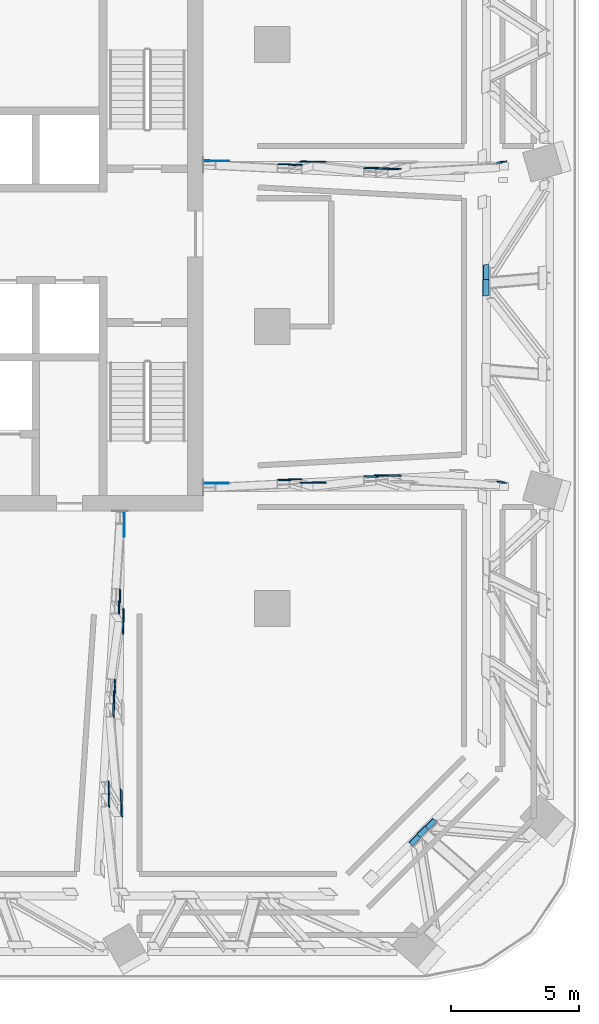
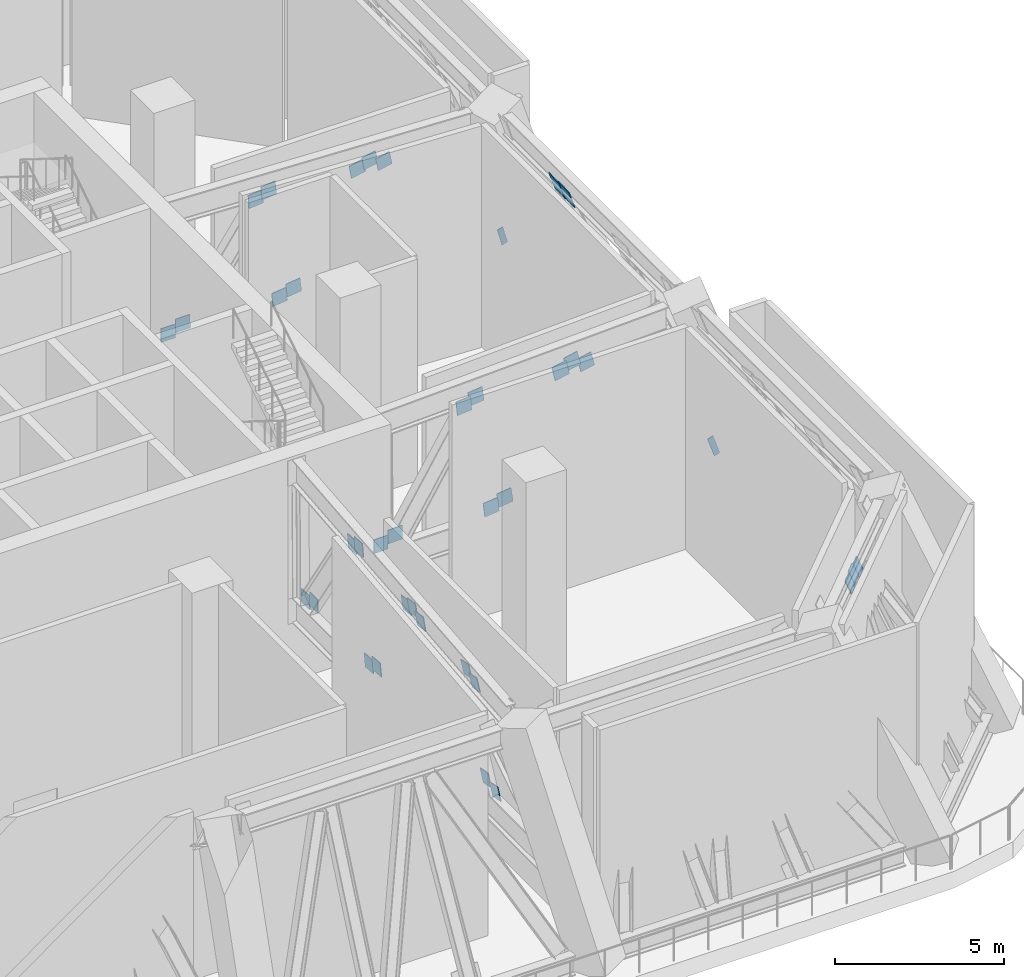
# One storey, part 15 of 24: 38 discrete accessories.
"""IFC4 building model written with IfcOpenShell, lengths in metres."""

from ifc_helpers import new_model, si_unit, direction, frame, origin, origin_2d, place, context, subcontext, project, spatial, rectangle, extrude, material, layer, layer_set, type_object, element, save


model = new_model("IFC4")

# Units and contexts
model_context = context("Model", 3, precision=1e-05, world=origin(), true_north=direction((0.0, 1.0)))
body_context = subcontext(model_context, "Body", "Model", "MODEL_VIEW")
ifc_project = project(units=[si_unit("LENGTHUNIT", "METRE"), si_unit("AREAUNIT", "SQUARE_METRE"), si_unit("VOLUMEUNIT", "CUBIC_METRE"), si_unit("PLANEANGLEUNIT", "RADIAN"), si_unit("MASSUNIT", "GRAM", prefix="KILO")], contexts=[model_context])

# Site, building, storey
site_placement = place(None, origin())
site = spatial("IfcSite", under=ifc_project, at=site_placement, CompositionType="ELEMENT")
building_placement = place(site_placement, origin())
building = spatial("IfcBuilding", under=site, at=building_placement, Name="Mopane Tessera Tower", CompositionType="ELEMENT")
storey_placement = place(building_placement, frame((0.0, 0.0, 148.60009765625)))
storey = spatial("IfcBuildingStorey", under=building, at=storey_placement, Name="L30", CompositionType="ELEMENT", Elevation=148.60009765625)

# Discrete accessories
ifc_material = material(Name="Structural steel S460", Category="steel")
ifc_layer = layer(ifc_material, 0.030029296875)
ifc_layer_set = layer_set([ifc_layer], Name="Structural steel S460")
discrete_accessory_type = type_object("IfcDiscreteAccessoryType", Name="Truss node plate 30 mm", PredefinedType="BRACKET", material=ifc_layer_set)
discrete_accessory_1_placement = place(storey_placement, frame((14.665283203125, -6.124267578125, 2.762451171875), z_axis=(-0.006906580578, 0.001973308737, 0.999974202266), x_axis=(-0.009648579504, 0.99995137067, -0.002039904093)))
element("IfcDiscreteAccessory", 1, at=discrete_accessory_1_placement, inside=storey, type_object=discrete_accessory_type, Name="Truss node plate s ot L30 E1 0", PredefinedType="BRACKET", context=body_context, shape_type="SweptSolid", body=[
    extrude(rectangle(XDim=0.030029296875, YDim=0.489990234375, at=origin_2d()), origin(), (0.0, 0.0, 1.0), 0.494873046875),
])
discrete_accessory_2_placement = place(storey_placement, frame((15.16357421875, -6.12060546875, 2.941650390625), z_axis=(-0.020725686995, 0.005921624856, 0.999767663139), x_axis=(-0.009537601114, 0.99993578574, -0.006120339919)))
element("IfcDiscreteAccessory", 2, at=discrete_accessory_2_placement, inside=storey, type_object=discrete_accessory_type, Name="Truss node plate s ot L30 E1 2", PredefinedType="BRACKET", context=body_context, shape_type="SweptSolid", body=[
    extrude(rectangle(XDim=0.030029296875, YDim=0.49462890625, at=origin_2d()), origin(), (0.0, 0.0, 1.0), 0.49462890625),
])
discrete_accessory_3_placement = place(storey_placement, frame((17.60107421875, -5.99853515625, 6.663330078125), z_axis=(-0.094748798485, 0.02798280577, 0.995107847304), x_axis=(0.001871989147, 0.999608097476, -0.027931113789)))
element("IfcDiscreteAccessory", 3, at=discrete_accessory_3_placement, inside=storey, type_object=discrete_accessory_type, Name="Truss node plate s ot L30 E1 3", PredefinedType="BRACKET", context=body_context, shape_type="SweptSolid", body=[
    extrude(rectangle(XDim=0.030029296875, YDim=0.49462890625, at=origin_2d()), origin(), (0.0, 0.0, 1.0), 0.497314453125),
])
discrete_accessory_4_placement = place(storey_placement, frame((18.47509765625, -6.1044921875, 2.762451171875), z_axis=(-0.107847996433, 0.031373962599, 0.993672221679), x_axis=(-0.001418597926, 0.999496047364, -0.031711809854)))
element("IfcDiscreteAccessory", 4, at=discrete_accessory_4_placement, inside=storey, type_object=discrete_accessory_type, Name="Truss node plate s ot L30 E1 4", PredefinedType="BRACKET", context=body_context, shape_type="SweptSolid", body=[
    extrude(rectangle(XDim=0.030029296875, YDim=0.49462890625, at=origin_2d()), origin(), (0.0, 0.0, 1.0), 0.498046875),
])
discrete_accessory_5_placement = place(storey_placement, frame((18.03125, -5.974853515625, 6.842529296875), z_axis=(-0.107900556375, 0.031389252764, 0.993666032802), x_axis=(-0.001416920127, 0.999495559277, -0.03172726467)))
element("IfcDiscreteAccessory", 5, at=discrete_accessory_5_placement, inside=storey, type_object=discrete_accessory_type, Name="Truss node plate s ot L30 E1 5", PredefinedType="BRACKET", context=body_context, shape_type="SweptSolid", body=[
    extrude(rectangle(XDim=0.030029296875, YDim=0.49462890625, at=origin_2d()), origin(), (0.0, 0.0, 1.0), 0.497802734375),
])
discrete_accessory_6_placement = place(storey_placement, frame((18.955078125, -6.095703125, 2.941650390625), z_axis=(-0.120941716867, 0.035743908224, 0.992015863858), x_axis=(0.003742717058, 0.999360809995, -0.035552264569)))
element("IfcDiscreteAccessory", 6, at=discrete_accessory_6_placement, inside=storey, type_object=discrete_accessory_type, Name="Truss node plate s ot L30 E1 6", PredefinedType="BRACKET", context=body_context, shape_type="SweptSolid", body=[
    extrude(rectangle(XDim=0.030029296875, YDim=0.49462890625, at=origin_2d()), origin(), (0.0, 0.0, 1.0), 0.49853515625),
])
discrete_accessory_7_placement = place(storey_placement, frame((21.014404296875, -5.86279296875, 6.663330078125), z_axis=(-0.193292704846, 0.056538116167, 0.979510781806), x_axis=(0.007652171591, 0.998394815023, -0.056118068437)))
element("IfcDiscreteAccessory", 7, at=discrete_accessory_7_placement, inside=storey, type_object=discrete_accessory_type, Name="Truss node plate s ot L30 E1 7", PredefinedType="BRACKET", context=body_context, shape_type="SweptSolid", body=[
    extrude(rectangle(XDim=0.030029296875, YDim=0.49462890625, at=origin_2d()), origin(), (0.0, 0.0, 1.0), 0.505126953125),
])
discrete_accessory_8_placement = place(storey_placement, frame((21.425048828125, -5.83349609375, 6.8486328125), z_axis=(-0.205635521858, 0.060306571314, 0.976768728823), x_axis=(0.009834279147, 0.998176407463, -0.059557925904)))
element("IfcDiscreteAccessory", 8, at=discrete_accessory_8_placement, inside=storey, type_object=discrete_accessory_type, Name="Truss node plate s ot L30 E1 9", PredefinedType="BRACKET", context=body_context, shape_type="SweptSolid", body=[
    extrude(rectangle(XDim=0.030029296875, YDim=0.482421875, at=origin_2d()), origin(), (0.0, 0.0, 1.0), 0.493896484375),
])
discrete_accessory_9_placement = place(storey_placement, frame((21.90478515625, -5.828125, 6.65478515625), z_axis=(-0.217736816956, 0.064040240281, 0.973904269508), x_axis=(0.012139855861, 0.997945557303, -0.062906983388)))
element("IfcDiscreteAccessory", 9, at=discrete_accessory_9_placement, inside=storey, type_object=discrete_accessory_type, Name="Truss node plate s ot L30 E1 10", PredefinedType="BRACKET", context=body_context, shape_type="SweptSolid", body=[
    extrude(rectangle(XDim=0.030029296875, YDim=0.482421875, at=origin_2d()), origin(), (0.0, 0.0, 1.0), 0.49560546875),
])
discrete_accessory_10_placement = place(storey_placement, frame((26.15576171875, -6.113525390625, 2.235595703125), z_axis=(-0.29467748015, 0.086220447896, 0.951699121076), x_axis=(0.022447289738, 0.996270989292, -0.083308073308)))
element("IfcDiscreteAccessory", 10, at=discrete_accessory_10_placement, inside=storey, type_object=discrete_accessory_type, Name="Truss node plate s ot L30 E1 13", PredefinedType="BRACKET", context=body_context, shape_type="SweptSolid", body=[
    extrude(rectangle(XDim=0.030029296875, YDim=0.195556640625, at=origin_2d()), origin(), (0.0, 0.0, 1.0), 0.671142578125),
])
discrete_accessory_11_placement = place(storey_placement, frame((14.66650390625, 6.456298828125, 2.762451171875), z_axis=(-0.007399881649, -0.001973301773, 0.999970673486), x_axis=(0.027341583233, 0.999623782945, 0.002174947647)))
element("IfcDiscreteAccessory", 11, at=discrete_accessory_11_placement, inside=storey, type_object=discrete_accessory_type, Name="Truss node plate s ot L30 E2 0", PredefinedType="BRACKET", context=body_context, shape_type="SweptSolid", body=[
    extrude(rectangle(XDim=0.030029296875, YDim=0.489990234375, at=origin_2d()), origin(), (0.0, 0.0, 1.0), 0.494873046875),
])
discrete_accessory_12_placement = place(storey_placement, frame((15.164794921875, 6.45263671875, 2.941650390625), z_axis=(-0.020725686995, -0.005921624856, 0.999767663139), x_axis=(0.009537601114, 0.99993578574, 0.006120339919)))
element("IfcDiscreteAccessory", 12, at=discrete_accessory_12_placement, inside=storey, type_object=discrete_accessory_type, Name="Truss node plate s ot L30 E2 2", PredefinedType="BRACKET", context=body_context, shape_type="SweptSolid", body=[
    extrude(rectangle(XDim=0.030029296875, YDim=0.49462890625, at=origin_2d()), origin(), (0.0, 0.0, 1.0), 0.49462890625),
])
discrete_accessory_13_placement = place(storey_placement, frame((17.602294921875, 6.330322265625, 6.663330078125), z_axis=(-0.094750088706, -0.027492253718, 0.995121397959), x_axis=(0.002902171275, 0.999606715619, 0.027892498831)))
element("IfcDiscreteAccessory", 13, at=discrete_accessory_13_placement, inside=storey, type_object=discrete_accessory_type, Name="Truss node plate s ot L30 E2 3", PredefinedType="BRACKET", context=body_context, shape_type="SweptSolid", body=[
    extrude(rectangle(XDim=0.030029296875, YDim=0.49462890625, at=origin_2d()), origin(), (0.0, 0.0, 1.0), 0.497314453125),
])
discrete_accessory_14_placement = place(storey_placement, frame((18.476318359375, 6.4365234375, 2.762451171875), z_axis=(-0.107847996433, -0.031373962599, 0.993672221679), x_axis=(0.001418597926, 0.999496047364, 0.031711809854)))
element("IfcDiscreteAccessory", 14, at=discrete_accessory_14_placement, inside=storey, type_object=discrete_accessory_type, Name="Truss node plate s ot L30 E2 4", PredefinedType="BRACKET", context=body_context, shape_type="SweptSolid", body=[
    extrude(rectangle(XDim=0.030029296875, YDim=0.49462890625, at=origin_2d()), origin(), (0.0, 0.0, 1.0), 0.498046875),
])
discrete_accessory_15_placement = place(storey_placement, frame((18.032470703125, 6.306884765625, 6.842529296875), z_axis=(-0.107898882299, -0.031879215225, 0.99365061608), x_axis=(-0.00277081108, 0.999491501214, 0.03176573008)))
element("IfcDiscreteAccessory", 15, at=discrete_accessory_15_placement, inside=storey, type_object=discrete_accessory_type, Name="Truss node plate s ot L30 E2 5", PredefinedType="BRACKET", context=body_context, shape_type="SweptSolid", body=[
    extrude(rectangle(XDim=0.030029296875, YDim=0.49462890625, at=origin_2d()), origin(), (0.0, 0.0, 1.0), 0.497802734375),
])
discrete_accessory_16_placement = place(storey_placement, frame((18.956298828125, 6.427734375, 2.941650390625), z_axis=(-0.120941716867, -0.035743908224, 0.992015863858), x_axis=(-0.003742717058, 0.999360809995, 0.035552264569)))
element("IfcDiscreteAccessory", 16, at=discrete_accessory_16_placement, inside=storey, type_object=discrete_accessory_type, Name="Truss node plate s ot L30 E2 6", PredefinedType="BRACKET", context=body_context, shape_type="SweptSolid", body=[
    extrude(rectangle(XDim=0.030029296875, YDim=0.49462890625, at=origin_2d()), origin(), (0.0, 0.0, 1.0), 0.49853515625),
])
discrete_accessory_17_placement = place(storey_placement, frame((21.015625, 6.19482421875, 6.663330078125), z_axis=(-0.193292704846, -0.056538116167, 0.979510781806), x_axis=(-0.007652171591, 0.998394815023, 0.056118068437)))
element("IfcDiscreteAccessory", 17, at=discrete_accessory_17_placement, inside=storey, type_object=discrete_accessory_type, Name="Truss node plate s ot L30 E2 7", PredefinedType="BRACKET", context=body_context, shape_type="SweptSolid", body=[
    extrude(rectangle(XDim=0.030029296875, YDim=0.49462890625, at=origin_2d()), origin(), (0.0, 0.0, 1.0), 0.505126953125),
])
discrete_accessory_18_placement = place(storey_placement, frame((21.42626953125, 6.16552734375, 6.8486328125), z_axis=(-0.205635521858, -0.060306571314, 0.976768728823), x_axis=(-0.009834279147, 0.998176407463, 0.059557925904)))
element("IfcDiscreteAccessory", 18, at=discrete_accessory_18_placement, inside=storey, type_object=discrete_accessory_type, Name="Truss node plate s ot L30 E2 9", PredefinedType="BRACKET", context=body_context, shape_type="SweptSolid", body=[
    extrude(rectangle(XDim=0.030029296875, YDim=0.482421875, at=origin_2d()), origin(), (0.0, 0.0, 1.0), 0.493896484375),
])
discrete_accessory_19_placement = place(storey_placement, frame((21.90576171875, 6.159912109375, 6.65478515625), z_axis=(-0.217274308546, -0.063556430391, 0.974039247157), x_axis=(-0.010633125372, 0.997972869158, 0.062746227533)))
element("IfcDiscreteAccessory", 19, at=discrete_accessory_19_placement, inside=storey, type_object=discrete_accessory_type, Name="Truss node plate s ot L30 E2 10", PredefinedType="BRACKET", context=body_context, shape_type="SweptSolid", body=[
    extrude(rectangle(XDim=0.030029296875, YDim=0.482421875, at=origin_2d()), origin(), (0.0, 0.0, 1.0), 0.49560546875),
])
discrete_accessory_20_placement = place(storey_placement, frame((26.156982421875, 6.4453125, 2.235595703125), z_axis=(-0.294686704214, -0.085859336043, 0.951728911389), x_axis=(-0.021306168284, 0.996298141493, 0.083283014175)))
element("IfcDiscreteAccessory", 20, at=discrete_accessory_20_placement, inside=storey, type_object=discrete_accessory_type, Name="Truss node plate s ot L30 E2 13", PredefinedType="BRACKET", context=body_context, shape_type="SweptSolid", body=[
    extrude(rectangle(XDim=0.030029296875, YDim=0.195556640625, at=origin_2d()), origin(), (0.0, 0.0, 1.0), 0.671142578125),
])
discrete_accessory_21_placement = place(storey_placement, frame((11.3330078125, -7.466552734375, 2.7626953125), z_axis=(-0.00296291383, 0.004938189716, 0.999983417574), x_axis=(0.999838203603, 0.017756749803, 0.002874795913)))
element("IfcDiscreteAccessory", 21, at=discrete_accessory_21_placement, inside=storey, type_object=discrete_accessory_type, Name="Truss node plate s ot L30 S3 0", PredefinedType="BRACKET", context=body_context, shape_type="SweptSolid", body=[
    extrude(rectangle(XDim=0.030029296875, YDim=0.489990234375, at=origin_2d()), origin(), (0.0, 0.0, 1.0), 0.494384765625),
])
discrete_accessory_22_placement = place(storey_placement, frame((11.328125, -7.966796875, 2.94189453125), z_axis=(-0.007896279555, 0.014312006694, 0.999866398692), x_axis=(0.999797507859, -0.018394927613, 0.008159039006)))
element("IfcDiscreteAccessory", 22, at=discrete_accessory_22_placement, inside=storey, type_object=discrete_accessory_type, Name="Truss node plate s ot L30 S3 2", PredefinedType="BRACKET", context=body_context, shape_type="SweptSolid", body=[
    extrude(rectangle(XDim=0.030029296875, YDim=0.49462890625, at=origin_2d()), origin(), (0.0, 0.0, 1.0), 0.49462890625),
])
for number, where, z_axis, x_axis, name in (
    (23, (11.16650390625, -10.530517578125, 6.663330078125), (-0.036916432179, 0.064480701539, 0.997235887924), (0.99931470002, -0.000317407352, 0.037013910595), "Truss node plate s ot L30 S3 3"),
    (24, (11.306884765625, -11.28564453125, 2.7626953125), (-0.041825507417, 0.073317654178, 0.996431206113), (0.999115961977, -0.001156451407, 0.042023292853), "Truss node plate s ot L30 S3 4"),
):
    element("IfcDiscreteAccessory", number, at=place(storey_placement, frame(where, z_axis=z_axis, x_axis=x_axis)), inside=storey, type_object=discrete_accessory_type, Name=name, PredefinedType="BRACKET", context=body_context, shape_type="SweptSolid", body=[
        extrude(rectangle(XDim=0.030029296875, YDim=0.49462890625, at=origin_2d()), origin(), (0.0, 0.0, 1.0), 0.49609375),
    ])
discrete_accessory_23_placement = place(storey_placement, frame((11.13525390625, -10.984619140625, 6.842529296875), z_axis=(-0.04180501002, 0.073281723447, 0.996434709424), x_axis=(0.999116826217, -0.001157966369, 0.042002698528)))
element("IfcDiscreteAccessory", 25, at=discrete_accessory_23_placement, inside=storey, type_object=discrete_accessory_type, Name="Truss node plate s ot L30 S3 5", PredefinedType="BRACKET", context=body_context, shape_type="SweptSolid", body=[
    extrude(rectangle(XDim=0.030029296875, YDim=0.49462890625, at=origin_2d()), origin(), (0.0, 0.0, 1.0), 0.496337890625),
])
discrete_accessory_24_placement = place(storey_placement, frame((11.294921875, -11.7734375, 2.94189453125), z_axis=(-0.047169373114, 0.08254640295, 0.995470311762), x_axis=(0.998880693707, 0.000383333869, 0.047299183863)))
element("IfcDiscreteAccessory", 26, at=discrete_accessory_24_placement, inside=storey, type_object=discrete_accessory_type, Name="Truss node plate s ot L30 S3 6", PredefinedType="BRACKET", context=body_context, shape_type="SweptSolid", body=[
    extrude(rectangle(XDim=0.030029296875, YDim=0.49462890625, at=origin_2d()), origin(), (0.0, 0.0, 1.0), 0.496826171875),
])
discrete_accessory_25_placement = place(storey_placement, frame((10.987060546875, -14.080810546875, 6.663330078125), z_axis=(-0.075612976802, 0.13220075299, 0.988334780653), x_axis=(0.997132362927, 0.006924339299, 0.075359832331)))
element("IfcDiscreteAccessory", 27, at=discrete_accessory_25_placement, inside=storey, type_object=discrete_accessory_type, Name="Truss node plate s ot L30 S3 7", PredefinedType="BRACKET", context=body_context, shape_type="SweptSolid", body=[
    extrude(rectangle(XDim=0.030029296875, YDim=0.49462890625, at=origin_2d()), origin(), (0.0, 0.0, 1.0), 0.50048828125),
])
discrete_accessory_26_placement = place(storey_placement, frame((10.94873046875, -14.5224609375, 6.842529296875), z_axis=(-0.07987492096, 0.141242238283, 0.986747499174), x_axis=(0.996773387603, 0.003447008696, 0.080193091335)))
element("IfcDiscreteAccessory", 28, at=discrete_accessory_26_placement, inside=storey, type_object=discrete_accessory_type, Name="Truss node plate s ot L30 S3 9", PredefinedType="BRACKET", context=body_context, shape_type="SweptSolid", body=[
    extrude(rectangle(XDim=0.030029296875, YDim=0.49462890625, at=origin_2d()), origin(), (0.0, 0.0, 1.0), 0.501220703125),
])
discrete_accessory_27_placement = place(storey_placement, frame((10.939697265625, -15.015380859375, 6.663330078125), z_axis=(-0.08508625224, 0.149751803942, 0.985055697357), x_axis=(0.996356010944, 0.00691536051, 0.085011041895)))
element("IfcDiscreteAccessory", 29, at=discrete_accessory_27_placement, inside=storey, type_object=discrete_accessory_type, Name="Truss node plate s ot L30 S3 10", PredefinedType="BRACKET", context=body_context, shape_type="SweptSolid", body=[
    extrude(rectangle(XDim=0.030029296875, YDim=0.49462890625, at=origin_2d()), origin(), (0.0, 0.0, 1.0), 0.502197265625),
])
discrete_accessory_28_placement = place(storey_placement, frame((11.237548828125, -18.385009765625, 2.94189453125), z_axis=(-0.112474616524, 0.197551570048, 0.973818688365), x_axis=(0.993641929576, 0.017412294739, 0.111231864947)))
element("IfcDiscreteAccessory", 30, at=discrete_accessory_28_placement, inside=storey, type_object=discrete_accessory_type, Name="Truss node plate s ot L30 S3 11", PredefinedType="BRACKET", context=body_context, shape_type="SweptSolid", body=[
    extrude(rectangle(XDim=0.030029296875, YDim=0.49462890625, at=origin_2d()), origin(), (0.0, 0.0, 1.0), 0.5078125),
])
discrete_accessory_29_placement = place(storey_placement, frame((11.254638671875, -18.924072265625, 2.7626953125), z_axis=(-0.117067089391, 0.205826972741, 0.971560885315), x_axis=(0.99310921512, 0.018922363087, 0.115654792457)))
element("IfcDiscreteAccessory", 31, at=discrete_accessory_29_placement, inside=storey, type_object=discrete_accessory_type, Name="Truss node plate s ot L30 S3 12", PredefinedType="BRACKET", context=body_context, shape_type="SweptSolid", body=[
    extrude(rectangle(XDim=0.030029296875, YDim=0.49462890625, at=origin_2d()), origin(), (0.0, 0.0, 1.0), 0.5087890625),
])
discrete_accessory_30_placement = place(storey_placement, frame((10.76171875, -18.058837890625, 6.8486328125), z_axis=(-0.117512897243, 0.205524648735, 0.971571066749), x_axis=(0.993066210193, 0.021170517965, 0.115634386501)))
element("IfcDiscreteAccessory", 32, at=discrete_accessory_30_placement, inside=storey, type_object=discrete_accessory_type, Name="Truss node plate s ot L30 S3 13", PredefinedType="BRACKET", context=body_context, shape_type="SweptSolid", body=[
    extrude(rectangle(XDim=0.030029296875, YDim=0.482421875, at=origin_2d()), origin(), (0.0, 0.0, 1.0), 0.49658203125),
])
discrete_accessory_31_placement = place(storey_placement, frame((10.761962890625, -18.555908203125, 6.65478515625), z_axis=(-0.1216479279, 0.213864905501, 0.96925929649), x_axis=(0.992558776145, 0.020925505844, 0.119954987822)))
element("IfcDiscreteAccessory", 33, at=discrete_accessory_31_placement, inside=storey, type_object=discrete_accessory_type, Name="Truss node plate s ot L30 S3 14", PredefinedType="BRACKET", context=body_context, shape_type="SweptSolid", body=[
    extrude(rectangle(XDim=0.030029296875, YDim=0.482421875, at=origin_2d()), origin(), (0.0, 0.0, 1.0), 0.497802734375),
])
for number, where, z_axis, x_axis, name in (
    (34, (22.73291015625, -20.109130859375, 7.02099609375), (-0.309393348836, 0.271290719669, 0.911414889673), (-0.636311085764, 0.653187245506, -0.410432240987), "Truss node plate s bt L30 S4-E0 2"),
    (35, (23.034912109375, -19.779296875, 7.06494140625), (-0.309393348836, 0.271290719669, 0.911414889673), (-0.636311085764, 0.653187245506, -0.410432240987), "Truss node plate s bt L30 S4-E0 4"),
    (36, (23.366455078125, -19.4755859375, 7.02099609375), (-0.309393348836, 0.271290719669, 0.911414889673), (-0.636311085764, 0.653187245506, -0.410432240987), "Truss node plate s bt L30 S4-E0 5"),
):
    element("IfcDiscreteAccessory", number, at=place(storey_placement, frame(where, z_axis=z_axis, x_axis=x_axis)), inside=storey, type_object=discrete_accessory_type, Name=name, PredefinedType="BRACKET", context=body_context, shape_type="SweptSolid", body=[
        extrude(rectangle(XDim=0.030029296875, YDim=0.43798828125, at=origin_2d()), origin(), (0.0, 0.0, 1.0), 0.48046875),
    ])
for number, where, z_axis, x_axis, name in (
    (37, (25.531494140625, 1.515869140625, 6.9306640625), (-0.321332405206, -0.024578856641, 0.94664743446), (-0.946966431838, 0.008076733838, -0.321230981292), "Truss node plate s bt L30 E1-E2 4"),
    (38, (25.54541015625, 2.10107421875, 6.889892578125), (-0.321244028213, -0.03396731007, 0.946387075241), (-0.946996440081, 0.011385704952, -0.321042221828), "Truss node plate s bt L30 E1-E2 6"),
):
    element("IfcDiscreteAccessory", number, at=place(storey_placement, frame(where, z_axis=z_axis, x_axis=x_axis)), inside=storey, type_object=discrete_accessory_type, Name=name, PredefinedType="BRACKET", context=body_context, shape_type="SweptSolid", body=[
        extrude(rectangle(XDim=0.030029296875, YDim=0.639404296875, at=origin_2d()), origin(), (0.0, 0.0, 1.0), 0.675537109375),
    ])

save(model, "model.ifc")
